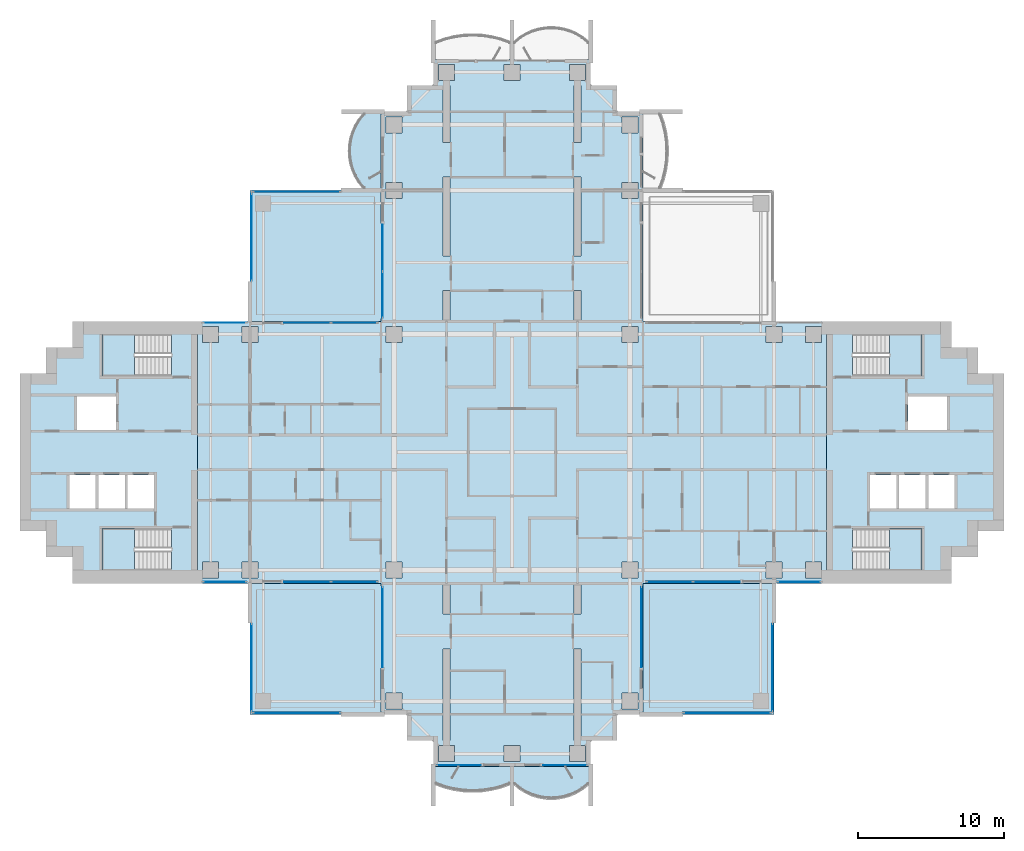
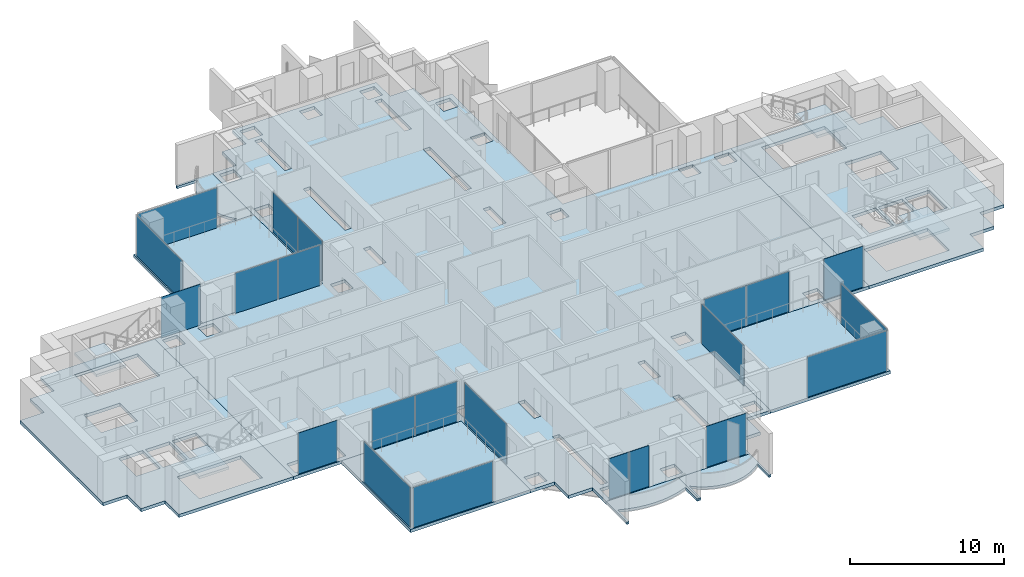
# One storey, part 7 of 19: 21 plates, 13 slabs, 21 elements without a shape of their own.
"""IFC4 building model written with IfcOpenShell, lengths in metres."""

from ifc_helpers import new_model, si_unit, direction, frame, origin, origin_2d, place, context, subcontext, project, spatial, polyline, rectangle, outline, extrude, material, layer, layer_set, type_object, element, aggregate, save


model = new_model("IFC4")

# Units and contexts
model_context = context("Model", 3, precision=1e-05, world=origin(), true_north=direction((0.0, 1.0)))
body_context = subcontext(model_context, "Body", "Model", "MODEL_VIEW")
ifc_project = project(units=[si_unit("LENGTHUNIT", "METRE"), si_unit("AREAUNIT", "SQUARE_METRE"), si_unit("VOLUMEUNIT", "CUBIC_METRE"), si_unit("PLANEANGLEUNIT", "RADIAN"), si_unit("MASSUNIT", "GRAM", prefix="KILO")], contexts=[model_context])

# Site, building, storey
site_placement = place(None, origin())
site = spatial("IfcSite", under=ifc_project, at=site_placement, CompositionType="ELEMENT")
building_placement = place(site_placement, origin())
building = spatial("IfcBuilding", under=site, at=building_placement, Name="Perihelion Cross Residences", CompositionType="ELEMENT")
storey_placement = place(building_placement, frame((0.0, 0.0, 119.89990234375)))
storey = spatial("IfcBuildingStorey", under=building, at=storey_placement, Name="L28", CompositionType="ELEMENT", Elevation=119.89990234375)

# Slabs
ifc_material_1 = material(Name="Concrete C40/50", Category="concrete")
ifc_layer_1 = layer(ifc_material_1, 0.199951171875)
ifc_layer_set_1 = layer_set([ifc_layer_1], Name="Balcony slab 200")
slab_type_1 = type_object("IfcSlabType", Name="Balcony slab 200", PredefinedType="FLOOR", material=ifc_layer_set_1)
slab_1_placement = place(storey_placement, frame((0.0, 0.0, -0.199951171875)))
element("IfcSlab", 1, at=slab_1_placement, inside=storey, type_object=slab_type_1, Name="Slab BK1 L28 north side west bay 1 balcony", PredefinedType="FLOOR", context=body_context, shape_type="SweptSolid", body=[
    extrude(outline(polyline([(-9.0, 23.39990234375), (-9.0, 18.0), (-11.699951171875, 18.0), (-11.699951171875, 18.14990234375), (-10.199951171875, 18.14990234375), (-10.5400390625, 18.574951171875), (-10.792724609375, 19.0), (-10.9765625, 19.425048828125), (-11.1025390625, 19.85009765625), (-11.17578125, 20.27490234375), (-11.199951171875, 20.699951171875), (-11.17578125, 21.125), (-11.1025390625, 21.550048828125), (-10.9765625, 21.97509765625), (-10.792724609375, 22.39990234375), (-10.5400390625, 22.824951171875), (-10.199951171875, 23.25), (-11.699951171875, 23.25), (-11.699951171875, 23.39990234375), (-9.0, 23.39990234375)])), origin(), (0.0, 0.0, 1.0), 0.199951171875),
])
slab_2_placement = place(storey_placement, frame((0.0, 0.0, -0.199951171875)))
element("IfcSlab", 2, at=slab_2_placement, inside=storey, type_object=slab_type_1, Name="Slab BK1 L28 south tip south bay 1 balcony", PredefinedType="FLOOR", context=body_context, shape_type="SweptSolid", body=[
    extrude(outline(polyline([(-5.39990234375, -21.60009765625), (0.0, -21.60009765625), (0.0, -24.300048828125), (-0.14990234375, -24.300048828125), (-0.14990234375, -22.800048828125), (-0.78759765625, -23.0234375), (-1.425048828125, -23.178466796875), (-2.0625, -23.269775390625), (-2.699951171875, -23.300048828125), (-3.33740234375, -23.269775390625), (-3.97509765625, -23.178466796875), (-4.612548828125, -23.0234375), (-5.25, -22.800048828125), (-5.25, -24.300048828125), (-5.39990234375, -24.300048828125), (-5.39990234375, -21.60009765625)])), origin(), (0.0, 0.0, 1.0), 0.199951171875),
])
slab_3_placement = place(storey_placement, frame((0.0, 0.0, -0.199951171875)))
element("IfcSlab", 3, at=slab_3_placement, inside=storey, type_object=slab_type_1, Name="Slab BK1 L28 south tip south bay 2 balcony", PredefinedType="FLOOR", context=body_context, shape_type="SweptSolid", body=[
    extrude(outline(polyline([(0.0, -21.60009765625), (5.39990234375, -21.60009765625), (5.39990234375, -24.300048828125), (5.25, -24.300048828125), (5.25, -22.800048828125), (4.824951171875, -23.14013671875), (4.39990234375, -23.392578125), (3.97509765625, -23.57666015625), (3.550048828125, -23.702392578125), (3.125, -23.77587890625), (2.699951171875, -23.800048828125), (2.27490234375, -23.77587890625), (1.85009765625, -23.702392578125), (1.425048828125, -23.57666015625), (1.0, -23.392578125), (0.574951171875, -23.14013671875), (0.14990234375, -22.800048828125), (0.14990234375, -24.300048828125), (0.0, -24.300048828125), (0.0, -21.60009765625)])), origin(), (0.0, 0.0, 1.0), 0.199951171875),
])

# Curtain wall, plates
ifc_material_2 = material(Name="Bronze anodised aluminium, tinted glazing", Category="aluminium")
curtain_wall_type_1 = type_object("IfcCurtainWallType", Name="CW1", PredefinedType="NOTDEFINED", material=ifc_material_2)
curtain_wall_1_placement = place(storey_placement, origin())
curtain_wall_1 = element("IfcCurtainWall", 4, at=curtain_wall_1_placement, inside=storey, type_object=curtain_wall_type_1, Name="Curtain wall CW1 L28 north side west bay 2", PredefinedType="NOTDEFINED")
ifc_material_3 = material(Name="Tinted laminated glass", Category="glass")
ifc_layer_2 = layer(ifc_material_3, 0.028076171875)
ifc_layer_set_2 = layer_set([ifc_layer_2], Name="CW1 panel")
plate_type_1 = type_object("IfcPlateType", Name="CW1 panel", PredefinedType="CURTAIN_PANEL", material=ifc_layer_set_2)
plate_1_placement = place(storey_placement, frame((-8.89990234375, 14.052490234375, 0.000244140625), z_axis=(0.0, 0.0, 1.0), x_axis=(0.0, -1.0, 0.0)))
plate_1 = element("IfcPlate", 5, at=plate_1_placement, type_object=plate_type_1, Name="CW1 panel 1", PredefinedType="CURTAIN_PANEL", context=body_context, shape_type="SweptSolid", body=[
    extrude(rectangle(XDim=3.195068359375, YDim=0.028076171875, at=origin_2d()), origin(), (0.0, 0.0, 1.0), 3.18994140625),
])
plate_2_placement = place(storey_placement, frame((-8.89990234375, 10.827392578125, 0.000244140625), z_axis=(0.0, 0.0, 1.0), x_axis=(0.0, -1.0, 0.0)))
plate_2 = element("IfcPlate", 6, at=plate_2_placement, type_object=plate_type_1, Name="CW1 panel 2", PredefinedType="CURTAIN_PANEL", context=body_context, shape_type="SweptSolid", body=[
    extrude(rectangle(XDim=3.135009765625, YDim=0.028076171875, at=origin_2d()), origin(), (0.0, 0.0, 1.0), 3.18994140625),
])
aggregate(curtain_wall_1, [plate_1, plate_2])

curtain_wall_2_placement = place(storey_placement, origin())
curtain_wall_2 = element("IfcCurtainWall", 7, at=curtain_wall_2_placement, inside=storey, type_object=curtain_wall_type_1, Name="Curtain wall CW1 L28 west side north bay 1", PredefinedType="NOTDEFINED")
plate_3_placement = place(storey_placement, frame((-10.827392578125, 8.89990234375, 0.000244140625), z_axis=(0.0, 0.0, 1.0), x_axis=(-1.0, 0.0, 0.0)))
plate_3 = element("IfcPlate", 8, at=plate_3_placement, type_object=plate_type_1, Name="CW1 panel 1", PredefinedType="CURTAIN_PANEL", context=body_context, shape_type="SweptSolid", body=[
    extrude(rectangle(XDim=3.135009765625, YDim=0.028076171875, at=origin_2d()), origin(), (0.0, 0.0, 1.0), 3.18994140625),
])
plate_4_placement = place(storey_placement, frame((-14.052490234375, 8.89990234375, 0.000244140625), z_axis=(0.0, 0.0, 1.0), x_axis=(-1.0, 0.0, 0.0)))
plate_4 = element("IfcPlate", 9, at=plate_4_placement, type_object=plate_type_1, Name="CW1 panel 2", PredefinedType="CURTAIN_PANEL", context=body_context, shape_type="SweptSolid", body=[
    extrude(rectangle(XDim=3.195068359375, YDim=0.028076171875, at=origin_2d()), origin(), (0.0, 0.0, 1.0), 3.18994140625),
])
aggregate(curtain_wall_2, [plate_3, plate_4])

# Curtain wall, plate
curtain_wall_3_placement = place(storey_placement, origin())
curtain_wall_3 = element("IfcCurtainWall", 10, at=curtain_wall_3_placement, inside=storey, type_object=curtain_wall_type_1, Name="Curtain wall CW1 L28 west side north bay 2", PredefinedType="NOTDEFINED")
plate_5_placement = place(storey_placement, frame((-19.72509765625, 8.89990234375, 0.0), z_axis=(0.0, 0.0, 1.0), x_axis=(-1.0, 0.0, 0.0)))
plate_5 = element("IfcPlate", 11, at=plate_5_placement, type_object=plate_type_1, Name="CW1 panel 1", PredefinedType="CURTAIN_PANEL", context=body_context, shape_type="SweptSolid", body=[
    extrude(rectangle(XDim=2.929931640625, YDim=0.028076171875, at=origin_2d()), origin(), (0.0, 0.0, 1.0), 3.25),
])
aggregate(curtain_wall_3, [plate_5])

curtain_wall_4_placement = place(storey_placement, origin())
curtain_wall_4 = element("IfcCurtainWall", 12, at=curtain_wall_4_placement, inside=storey, type_object=curtain_wall_type_1, Name="Curtain wall CW1 L28 west side south bay 1", PredefinedType="NOTDEFINED")
plate_6_placement = place(storey_placement, frame((-19.72509765625, -8.89990234375, 0.0), z_axis=(0.0, 0.0, 1.0), x_axis=(1.0, 0.0, 0.0)))
plate_6 = element("IfcPlate", 13, at=plate_6_placement, type_object=plate_type_1, Name="CW1 panel 1", PredefinedType="CURTAIN_PANEL", context=body_context, shape_type="SweptSolid", body=[
    extrude(rectangle(XDim=2.929931640625, YDim=0.028076171875, at=origin_2d()), origin(), (0.0, 0.0, 1.0), 3.25),
])
aggregate(curtain_wall_4, [plate_6])

# Curtain wall, plates
curtain_wall_5_placement = place(storey_placement, origin())
curtain_wall_5 = element("IfcCurtainWall", 14, at=curtain_wall_5_placement, inside=storey, type_object=curtain_wall_type_1, Name="Curtain wall CW1 L28 west side south bay 2", PredefinedType="NOTDEFINED")
plate_7_placement = place(storey_placement, frame((-14.052490234375, -8.89990234375, 0.000244140625), z_axis=(0.0, 0.0, 1.0), x_axis=(1.0, 0.0, 0.0)))
plate_7 = element("IfcPlate", 15, at=plate_7_placement, type_object=plate_type_1, Name="CW1 panel 1", PredefinedType="CURTAIN_PANEL", context=body_context, shape_type="SweptSolid", body=[
    extrude(rectangle(XDim=3.195068359375, YDim=0.028076171875, at=origin_2d()), origin(), (0.0, 0.0, 1.0), 3.18994140625),
])
plate_8_placement = place(storey_placement, frame((-10.827392578125, -8.89990234375, 0.000244140625), z_axis=(0.0, 0.0, 1.0), x_axis=(1.0, 0.0, 0.0)))
plate_8 = element("IfcPlate", 16, at=plate_8_placement, type_object=plate_type_1, Name="CW1 panel 2", PredefinedType="CURTAIN_PANEL", context=body_context, shape_type="SweptSolid", body=[
    extrude(rectangle(XDim=3.135009765625, YDim=0.028076171875, at=origin_2d()), origin(), (0.0, 0.0, 1.0), 3.18994140625),
])
aggregate(curtain_wall_5, [plate_7, plate_8])

# Curtain wall, plate
curtain_wall_6_placement = place(storey_placement, origin())
curtain_wall_6 = element("IfcCurtainWall", 17, at=curtain_wall_6_placement, inside=storey, type_object=curtain_wall_type_1, Name="Curtain wall CW1 L28 south side west bay 1", PredefinedType="NOTDEFINED")
plate_9_placement = place(storey_placement, frame((-8.89990234375, -12.0048828125, 0.000244140625), z_axis=(0.0, 0.0, 1.0), x_axis=(0.0, -1.0, 0.0)))
plate_9 = element("IfcPlate", 18, at=plate_9_placement, type_object=plate_type_1, Name="CW1 panel 1", PredefinedType="CURTAIN_PANEL", context=body_context, shape_type="SweptSolid", body=[
    extrude(rectangle(XDim=5.489990234375, YDim=0.028076171875, at=origin_2d()), origin(), (0.0, 0.0, 1.0), 3.18994140625),
])
aggregate(curtain_wall_6, [plate_9])

curtain_wall_7_placement = place(storey_placement, origin())
curtain_wall_7 = element("IfcCurtainWall", 19, at=curtain_wall_7_placement, inside=storey, type_object=curtain_wall_type_1, Name="Curtain wall CW1 L28 south tip south bay 1", PredefinedType="NOTDEFINED")
plate_10_placement = place(storey_placement, frame((-3.64501953125, -21.5, 0.0), z_axis=(0.0, 0.0, 1.0), x_axis=(1.0, 0.0, 0.0)))
plate_10 = element("IfcPlate", 20, at=plate_10_placement, type_object=plate_type_1, Name="CW1 panel 1", PredefinedType="CURTAIN_PANEL", context=body_context, shape_type="SweptSolid", body=[
    extrude(rectangle(XDim=2.989990234375, YDim=0.028076171875, at=origin_2d()), origin(), (0.0, 0.0, 1.0), 3.25),
])
aggregate(curtain_wall_7, [plate_10])

curtain_wall_8_placement = place(storey_placement, origin())
curtain_wall_8 = element("IfcCurtainWall", 21, at=curtain_wall_8_placement, inside=storey, type_object=curtain_wall_type_1, Name="Curtain wall CW1 L28 south tip south bay 2", PredefinedType="NOTDEFINED")
plate_11_placement = place(storey_placement, frame((3.64501953125, -21.5, 0.0), z_axis=(0.0, 0.0, 1.0), x_axis=(1.0, 0.0, 0.0)))
plate_11 = element("IfcPlate", 22, at=plate_11_placement, type_object=plate_type_1, Name="CW1 panel 1", PredefinedType="CURTAIN_PANEL", context=body_context, shape_type="SweptSolid", body=[
    extrude(rectangle(XDim=2.989990234375, YDim=0.028076171875, at=origin_2d()), origin(), (0.0, 0.0, 1.0), 3.25),
])
aggregate(curtain_wall_8, [plate_11])

curtain_wall_9_placement = place(storey_placement, origin())
curtain_wall_9 = element("IfcCurtainWall", 23, at=curtain_wall_9_placement, inside=storey, type_object=curtain_wall_type_1, Name="Curtain wall CW1 L28 south side east bay 1", PredefinedType="NOTDEFINED")
plate_12_placement = place(storey_placement, frame((8.89990234375, -12.0048828125, 0.000244140625), z_axis=(0.0, 0.0, 1.0), x_axis=(0.0, 1.0, 0.0)))
plate_12 = element("IfcPlate", 24, at=plate_12_placement, type_object=plate_type_1, Name="CW1 panel 1", PredefinedType="CURTAIN_PANEL", context=body_context, shape_type="SweptSolid", body=[
    extrude(rectangle(XDim=5.489990234375, YDim=0.028076171875, at=origin_2d()), origin(), (0.0, 0.0, 1.0), 3.18994140625),
])
aggregate(curtain_wall_9, [plate_12])

# Curtain wall, plates
curtain_wall_10_placement = place(storey_placement, origin())
curtain_wall_10 = element("IfcCurtainWall", 25, at=curtain_wall_10_placement, inside=storey, type_object=curtain_wall_type_1, Name="Curtain wall CW1 L28 east side south bay 1", PredefinedType="NOTDEFINED")
plate_13_placement = place(storey_placement, frame((10.827392578125, -8.89990234375, 0.000244140625), z_axis=(0.0, 0.0, 1.0), x_axis=(1.0, 0.0, 0.0)))
plate_13 = element("IfcPlate", 26, at=plate_13_placement, type_object=plate_type_1, Name="CW1 panel 1", PredefinedType="CURTAIN_PANEL", context=body_context, shape_type="SweptSolid", body=[
    extrude(rectangle(XDim=3.135009765625, YDim=0.028076171875, at=origin_2d()), origin(), (0.0, 0.0, 1.0), 3.18994140625),
])
plate_14_placement = place(storey_placement, frame((14.052490234375, -8.89990234375, 0.000244140625), z_axis=(0.0, 0.0, 1.0), x_axis=(1.0, 0.0, 0.0)))
plate_14 = element("IfcPlate", 27, at=plate_14_placement, type_object=plate_type_1, Name="CW1 panel 2", PredefinedType="CURTAIN_PANEL", context=body_context, shape_type="SweptSolid", body=[
    extrude(rectangle(XDim=3.195068359375, YDim=0.028076171875, at=origin_2d()), origin(), (0.0, 0.0, 1.0), 3.18994140625),
])
aggregate(curtain_wall_10, [plate_13, plate_14])

# Curtain wall, plate
curtain_wall_11_placement = place(storey_placement, origin())
curtain_wall_11 = element("IfcCurtainWall", 28, at=curtain_wall_11_placement, inside=storey, type_object=curtain_wall_type_1, Name="Curtain wall CW1 L28 east side south bay 2", PredefinedType="NOTDEFINED")
plate_15_placement = place(storey_placement, frame((19.72509765625, -8.89990234375, 0.0), z_axis=(0.0, 0.0, 1.0), x_axis=(1.0, 0.0, 0.0)))
plate_15 = element("IfcPlate", 29, at=plate_15_placement, type_object=plate_type_1, Name="CW1 panel 1", PredefinedType="CURTAIN_PANEL", context=body_context, shape_type="SweptSolid", body=[
    extrude(rectangle(XDim=2.929931640625, YDim=0.028076171875, at=origin_2d()), origin(), (0.0, 0.0, 1.0), 3.25),
])
aggregate(curtain_wall_11, [plate_15])

ifc_material_4 = material(Name="Bronze anodised aluminium, tinted glazing", Category="aluminium")
curtain_wall_type_2 = type_object("IfcCurtainWallType", Name="CW4", PredefinedType="NOTDEFINED", material=ifc_material_4)
curtain_wall_12_placement = place(storey_placement, origin())
curtain_wall_12 = element("IfcCurtainWall", 30, at=curtain_wall_12_placement, inside=storey, type_object=curtain_wall_type_2, Name="Curtain wall CW4 L28 pocket north-west 1 1", PredefinedType="NOTDEFINED")
ifc_material_5 = material(Name="Tinted laminated glass", Category="glass")
ifc_layer_3 = layer(ifc_material_5, 0.030029296875)
ifc_layer_set_3 = layer_set([ifc_layer_3], Name="CW4 panel")
plate_type_2 = type_object("IfcPlateType", Name="CW4 panel", PredefinedType="CURTAIN_PANEL", material=ifc_layer_set_3)
plate_16_placement = place(storey_placement, frame((-17.89990234375, 14.784912109375, 0.000244140625), z_axis=(0.0, 0.0, 1.0), x_axis=(0.0, 1.0, 0.0)))
plate_16 = element("IfcPlate", 31, at=plate_16_placement, type_object=plate_type_2, Name="CW4 panel 1", PredefinedType="CURTAIN_PANEL", context=body_context, shape_type="SweptSolid", body=[
    extrude(rectangle(XDim=5.969970703125, YDim=0.030029296875, at=origin_2d()), origin(), (0.0, 0.0, 1.0), 3.18994140625),
])
aggregate(curtain_wall_12, [plate_16])

curtain_wall_13_placement = place(storey_placement, origin())
curtain_wall_13 = element("IfcCurtainWall", 32, at=curtain_wall_13_placement, inside=storey, type_object=curtain_wall_type_2, Name="Curtain wall CW4 L28 pocket north-west 1 2", PredefinedType="NOTDEFINED")
plate_17_placement = place(storey_placement, frame((-14.784912109375, 17.89990234375, 0.000244140625), z_axis=(0.0, 0.0, 1.0), x_axis=(1.0, 0.0, 0.0)))
plate_17 = element("IfcPlate", 33, at=plate_17_placement, type_object=plate_type_2, Name="CW4 panel 1", PredefinedType="CURTAIN_PANEL", context=body_context, shape_type="SweptSolid", body=[
    extrude(rectangle(XDim=5.969970703125, YDim=0.030029296875, at=origin_2d()), origin(), (0.0, 0.0, 1.0), 3.18994140625),
])
aggregate(curtain_wall_13, [plate_17])

curtain_wall_14_placement = place(storey_placement, origin())
curtain_wall_14 = element("IfcCurtainWall", 34, at=curtain_wall_14_placement, inside=storey, type_object=curtain_wall_type_2, Name="Curtain wall CW4 L28 pocket south-east 1 1", PredefinedType="NOTDEFINED")
plate_18_placement = place(storey_placement, frame((17.89990234375, -14.784912109375, 0.000244140625), z_axis=(0.0, 0.0, 1.0), x_axis=(0.0, -1.0, 0.0)))
plate_18 = element("IfcPlate", 35, at=plate_18_placement, type_object=plate_type_2, Name="CW4 panel 1", PredefinedType="CURTAIN_PANEL", context=body_context, shape_type="SweptSolid", body=[
    extrude(rectangle(XDim=5.969970703125, YDim=0.030029296875, at=origin_2d()), origin(), (0.0, 0.0, 1.0), 3.18994140625),
])
aggregate(curtain_wall_14, [plate_18])

curtain_wall_15_placement = place(storey_placement, origin())
curtain_wall_15 = element("IfcCurtainWall", 36, at=curtain_wall_15_placement, inside=storey, type_object=curtain_wall_type_2, Name="Curtain wall CW4 L28 pocket south-east 1 2", PredefinedType="NOTDEFINED")
plate_19_placement = place(storey_placement, frame((14.784912109375, -17.89990234375, 0.000244140625), z_axis=(0.0, 0.0, 1.0), x_axis=(-1.0, 0.0, 0.0)))
plate_19 = element("IfcPlate", 37, at=plate_19_placement, type_object=plate_type_2, Name="CW4 panel 1", PredefinedType="CURTAIN_PANEL", context=body_context, shape_type="SweptSolid", body=[
    extrude(rectangle(XDim=5.969970703125, YDim=0.030029296875, at=origin_2d()), origin(), (0.0, 0.0, 1.0), 3.18994140625),
])
aggregate(curtain_wall_15, [plate_19])

curtain_wall_16_placement = place(storey_placement, origin())
curtain_wall_16 = element("IfcCurtainWall", 38, at=curtain_wall_16_placement, inside=storey, type_object=curtain_wall_type_2, Name="Curtain wall CW4 L28 pocket south-west 1 1", PredefinedType="NOTDEFINED")
plate_20_placement = place(storey_placement, frame((-14.784912109375, -17.89990234375, 0.000244140625), z_axis=(0.0, 0.0, 1.0), x_axis=(-1.0, 0.0, 0.0)))
plate_20 = element("IfcPlate", 39, at=plate_20_placement, type_object=plate_type_2, Name="CW4 panel 1", PredefinedType="CURTAIN_PANEL", context=body_context, shape_type="SweptSolid", body=[
    extrude(rectangle(XDim=5.969970703125, YDim=0.030029296875, at=origin_2d()), origin(), (0.0, 0.0, 1.0), 3.18994140625),
])
aggregate(curtain_wall_16, [plate_20])

curtain_wall_17_placement = place(storey_placement, origin())
curtain_wall_17 = element("IfcCurtainWall", 40, at=curtain_wall_17_placement, inside=storey, type_object=curtain_wall_type_2, Name="Curtain wall CW4 L28 pocket south-west 1 2", PredefinedType="NOTDEFINED")
plate_21_placement = place(storey_placement, frame((-17.89990234375, -14.784912109375, 0.000244140625), z_axis=(0.0, 0.0, 1.0), x_axis=(0.0, 1.0, 0.0)))
plate_21 = element("IfcPlate", 41, at=plate_21_placement, type_object=plate_type_2, Name="CW4 panel 1", PredefinedType="CURTAIN_PANEL", context=body_context, shape_type="SweptSolid", body=[
    extrude(rectangle(XDim=5.969970703125, YDim=0.030029296875, at=origin_2d()), origin(), (0.0, 0.0, 1.0), 3.18994140625),
])
aggregate(curtain_wall_17, [plate_21])

# Slabs
ifc_material_6 = material(Name="Concrete C40/50", Category="concrete")
ifc_layer_4 = layer(ifc_material_6, 0.25)
ifc_layer_set_4 = layer_set([ifc_layer_4], Name="Core floor slab 250")
slab_type_2 = type_object("IfcSlabType", Name="Core floor slab 250", PredefinedType="FLOOR", material=ifc_layer_set_4)
slab_4_placement = place(storey_placement, frame((0.0, 0.0, -0.25)))
element("IfcSlab", 42, at=slab_4_placement, inside=storey, type_object=slab_type_2, Name="East core floor slab", PredefinedType="FLOOR", context=body_context, shape_type="SweptSolid", body=[
    extrude(outline(polyline([(30.199951171875, 7.199951171875), (32.0, 7.199951171875), (32.0, 5.39990234375), (33.800048828125, 5.39990234375), (33.800048828125, -5.39990234375), (32.0, -5.39990234375), (32.0, -7.199951171875), (30.199951171875, -7.199951171875), (30.199951171875, -9.0), (21.60009765625, -9.0), (21.60009765625, 9.0), (30.199951171875, 9.0), (30.199951171875, 7.199951171875)]), holes=[polyline([(28.14990234375, -8.10009765625), (28.14990234375, -5.25), (23.405029296875, -5.25), (23.405029296875, -8.10009765625), (28.14990234375, -8.10009765625)]), polyline([(24.60009765625, -1.550048828125), (24.60009765625, -3.85009765625), (26.39990234375, -3.85009765625), (26.39990234375, -1.550048828125), (24.60009765625, -1.550048828125)]), polyline([(26.60009765625, -1.550048828125), (26.60009765625, -3.85009765625), (28.39990234375, -3.85009765625), (28.39990234375, -1.550048828125), (26.60009765625, -1.550048828125)]), polyline([(28.60009765625, -3.85009765625), (30.39990234375, -3.85009765625), (30.39990234375, -1.550048828125), (28.60009765625, -1.550048828125), (28.60009765625, -3.85009765625)]), polyline([(27.199951171875, 3.85009765625), (27.199951171875, 1.550048828125), (29.89990234375, 1.550048828125), (29.89990234375, 3.85009765625), (27.199951171875, 3.85009765625)]), polyline([(23.405029296875, 5.25), (28.14990234375, 5.25), (28.14990234375, 8.10009765625), (23.405029296875, 8.10009765625), (23.405029296875, 5.25)])]), origin(), (0.0, 0.0, 1.0), 0.25),
])
slab_5_placement = place(storey_placement, frame((0.0, 0.0, -0.25)))
element("IfcSlab", 43, at=slab_5_placement, inside=storey, type_object=slab_type_2, Name="West core floor slab", PredefinedType="FLOOR", context=body_context, shape_type="SweptSolid", body=[
    extrude(outline(polyline([(-30.199951171875, 7.199951171875), (-32.0, 7.199951171875), (-32.0, 5.39990234375), (-33.800048828125, 5.39990234375), (-33.800048828125, -5.39990234375), (-32.0, -5.39990234375), (-32.0, -7.199951171875), (-30.199951171875, -7.199951171875), (-30.199951171875, -9.0), (-21.60009765625, -9.0), (-21.60009765625, 9.0), (-30.199951171875, 9.0), (-30.199951171875, 7.199951171875)]), holes=[polyline([(-28.14990234375, -8.10009765625), (-28.14990234375, -5.25), (-23.405029296875, -5.25), (-23.405029296875, -8.10009765625), (-28.14990234375, -8.10009765625)]), polyline([(-24.60009765625, -1.550048828125), (-24.60009765625, -3.85009765625), (-26.39990234375, -3.85009765625), (-26.39990234375, -1.550048828125), (-24.60009765625, -1.550048828125)]), polyline([(-26.60009765625, -1.550048828125), (-26.60009765625, -3.85009765625), (-28.39990234375, -3.85009765625), (-28.39990234375, -1.550048828125), (-26.60009765625, -1.550048828125)]), polyline([(-28.60009765625, -3.85009765625), (-30.39990234375, -3.85009765625), (-30.39990234375, -1.550048828125), (-28.60009765625, -1.550048828125), (-28.60009765625, -3.85009765625)]), polyline([(-27.199951171875, 3.85009765625), (-27.199951171875, 1.550048828125), (-29.89990234375, 1.550048828125), (-29.89990234375, 3.85009765625), (-27.199951171875, 3.85009765625)]), polyline([(-23.405029296875, 5.25), (-28.14990234375, 5.25), (-28.14990234375, 8.10009765625), (-23.405029296875, 8.10009765625), (-23.405029296875, 5.25)])]), origin(), (0.0, 0.0, 1.0), 0.25),
])

# Stair, slab
ifc_material_7 = material(Name="Concrete C40/50", Category="concrete")
stair_type = type_object("IfcStairType", Name="Exit stair, half-turn", PredefinedType="HALF_TURN_STAIR", material=ifc_material_7)
stair_1_placement = place(storey_placement, origin())
stair_1 = element("IfcStair", 44, at=stair_1_placement, inside=storey, type_object=stair_type, Name="L28 East core exit stair 1", PredefinedType="HALF_TURN_STAIR")
ifc_material_8 = material(Name="Concrete C40/50", Category="concrete")
ifc_layer_5 = layer(ifc_material_8, 0.199951171875)
ifc_layer_set_5 = layer_set([ifc_layer_5], Name="Exit stair landing 200")
slab_type_3 = type_object("IfcSlabType", Name="Exit stair landing 200", PredefinedType="LANDING", material=ifc_layer_set_5)
slab_6_placement = place(storey_placement, frame((0.0, 0.0, 1.550048828125)))
slab_6 = element("IfcSlab", 45, at=slab_6_placement, type_object=slab_type_3, Name="ST-E1 landing 1", PredefinedType="LANDING", context=body_context, shape_type="SweptSolid", body=[
    extrude(outline(polyline([(25.919921875, 5.25), (28.14990234375, 5.25), (28.14990234375, 8.10009765625), (25.919921875, 8.10009765625), (25.919921875, 5.25)])), origin(), (0.0, 0.0, 1.0), 0.199951171875),
])
aggregate(stair_1, [slab_6])

stair_2_placement = place(storey_placement, origin())
stair_2 = element("IfcStair", 46, at=stair_2_placement, inside=storey, type_object=stair_type, Name="L28 East core exit stair 2", PredefinedType="HALF_TURN_STAIR")
slab_7_placement = place(storey_placement, frame((0.0, 0.0, 1.550048828125)))
slab_7 = element("IfcSlab", 47, at=slab_7_placement, type_object=slab_type_3, Name="ST-E2 landing 1", PredefinedType="LANDING", context=body_context, shape_type="SweptSolid", body=[
    extrude(outline(polyline([(25.919921875, -8.10009765625), (28.14990234375, -8.10009765625), (28.14990234375, -5.25), (25.919921875, -5.25), (25.919921875, -8.10009765625)])), origin(), (0.0, 0.0, 1.0), 0.199951171875),
])
aggregate(stair_2, [slab_7])

stair_3_placement = place(storey_placement, origin())
stair_3 = element("IfcStair", 48, at=stair_3_placement, inside=storey, type_object=stair_type, Name="L28 West core exit stair 1", PredefinedType="HALF_TURN_STAIR")
slab_8_placement = place(storey_placement, frame((0.0, 0.0, 1.550048828125)))
slab_8 = element("IfcSlab", 49, at=slab_8_placement, type_object=slab_type_3, Name="ST-W1 landing 1", PredefinedType="LANDING", context=body_context, shape_type="SweptSolid", body=[
    extrude(outline(polyline([(-25.919921875, 8.10009765625), (-28.14990234375, 8.10009765625), (-28.14990234375, 5.25), (-25.919921875, 5.25), (-25.919921875, 8.10009765625)])), origin(), (0.0, 0.0, 1.0), 0.199951171875),
])
aggregate(stair_3, [slab_8])

stair_4_placement = place(storey_placement, origin())
stair_4 = element("IfcStair", 50, at=stair_4_placement, inside=storey, type_object=stair_type, Name="L28 West core exit stair 2", PredefinedType="HALF_TURN_STAIR")
slab_9_placement = place(storey_placement, frame((0.0, 0.0, 1.550048828125)))
slab_9 = element("IfcSlab", 51, at=slab_9_placement, type_object=slab_type_3, Name="ST-W2 landing 1", PredefinedType="LANDING", context=body_context, shape_type="SweptSolid", body=[
    extrude(outline(polyline([(-25.919921875, -5.25), (-28.14990234375, -5.25), (-28.14990234375, -8.10009765625), (-25.919921875, -8.10009765625), (-25.919921875, -5.25)])), origin(), (0.0, 0.0, 1.0), 0.199951171875),
])
aggregate(stair_4, [slab_9])

# Slabs
ifc_material_9 = material(Name="Concrete C50/60", Category="concrete")
ifc_layer_6 = layer(ifc_material_9, 0.25)
ifc_layer_set_6 = layer_set([ifc_layer_6], Name="Residential floor post-tensioned slab concrete C50/60")
slab_type_4 = type_object("IfcSlabType", Name="Residential floor post-tensioned slab concrete C50/60", PredefinedType="FLOOR", material=ifc_layer_set_6)
slab_10_placement = place(storey_placement, frame((0.0, 0.0, -0.25)))
element("IfcSlab", 52, at=slab_10_placement, inside=storey, type_object=slab_type_4, Name="Slab SL8 L28 1 no. 1", PredefinedType="FLOOR", context=body_context, shape_type="SweptSolid", body=[
    extrude(outline(polyline([(-9.0, 9.0), (-9.0, 23.39990234375), (-7.199951171875, 23.39990234375), (-7.199951171875, 25.199951171875), (-5.39990234375, 25.199951171875), (-5.39990234375, 27.0), (5.39990234375, 27.0), (5.39990234375, 25.199951171875), (7.199951171875, 25.199951171875), (7.199951171875, 23.39990234375), (9.0, 23.39990234375), (9.0, 9.0), (21.60009765625, 9.0), (21.60009765625, -9.0), (9.0, -9.0), (9.0, -18.0), (7.199951171875, -18.0), (7.199951171875, -19.800048828125), (5.39990234375, -19.800048828125), (5.39990234375, -21.60009765625), (-5.39990234375, -21.60009765625), (-5.39990234375, -19.800048828125), (-7.199951171875, -19.800048828125), (-7.199951171875, -18.0), (-9.0, -18.0), (-9.0, -9.0), (-21.60009765625, -9.0), (-21.60009765625, 9.0), (-9.0, 9.0)]), holes=[polyline([(0.550048828125, -21.25), (0.550048828125, -20.14990234375), (-0.550048828125, -20.14990234375), (-0.550048828125, -21.25), (0.550048828125, -21.25)]), polyline([(-3.949951171875, -21.25), (-3.949951171875, -20.14990234375), (-5.050048828125, -20.14990234375), (-5.050048828125, -21.25), (-3.949951171875, -21.25)]), polyline([(-7.550048828125, -17.64990234375), (-7.550048828125, -16.550048828125), (-8.64990234375, -16.550048828125), (-8.64990234375, -17.64990234375), (-7.550048828125, -17.64990234375)]), polyline([(-4.25, -19.800048828125), (-4.25, -13.5), (-4.75, -13.5), (-4.75, -19.800048828125), (-4.25, -19.800048828125)]), polyline([(-4.25, -11.10009765625), (-4.25, -9.0), (-4.75, -9.0), (-4.75, -11.10009765625), (-4.25, -11.10009765625)]), polyline([(-20.14990234375, -8.64990234375), (-20.14990234375, -7.550048828125), (-21.25, -7.550048828125), (-21.25, -8.64990234375), (-20.14990234375, -8.64990234375)]), polyline([(-7.550048828125, -8.64990234375), (-7.550048828125, -7.550048828125), (-8.64990234375, -7.550048828125), (-8.64990234375, -8.64990234375), (-7.550048828125, -8.64990234375)]), polyline([(-18.550048828125, -8.64990234375), (-17.449951171875, -8.64990234375), (-17.449951171875, -7.550048828125), (-18.550048828125, -7.550048828125), (-18.550048828125, -8.64990234375)]), polyline([(-7.550048828125, 7.550048828125), (-7.550048828125, 8.64990234375), (-8.64990234375, 8.64990234375), (-8.64990234375, 7.550048828125), (-7.550048828125, 7.550048828125)]), polyline([(-17.449951171875, 7.550048828125), (-17.449951171875, 8.64990234375), (-18.550048828125, 8.64990234375), (-18.550048828125, 7.550048828125), (-17.449951171875, 7.550048828125)]), polyline([(-20.14990234375, 7.550048828125), (-20.14990234375, 8.64990234375), (-21.25, 8.64990234375), (-21.25, 7.550048828125), (-20.14990234375, 7.550048828125)]), polyline([(-4.25, 9.0), (-4.25, 11.10009765625), (-4.75, 11.10009765625), (-4.75, 9.0), (-4.25, 9.0)]), polyline([(-4.25, 13.5), (-4.25, 18.89990234375), (-4.75, 18.89990234375), (-4.75, 13.5), (-4.25, 13.5)]), polyline([(-7.550048828125, 17.449951171875), (-7.550048828125, 18.550048828125), (-8.64990234375, 18.550048828125), (-8.64990234375, 17.449951171875), (-7.550048828125, 17.449951171875)]), polyline([(-7.550048828125, 21.949951171875), (-7.550048828125, 23.050048828125), (-8.64990234375, 23.050048828125), (-8.64990234375, 21.949951171875), (-7.550048828125, 21.949951171875)]), polyline([(-4.75, 21.300048828125), (-4.25, 21.300048828125), (-4.25, 25.199951171875), (-4.75, 25.199951171875), (-4.75, 21.300048828125)]), polyline([(-5.050048828125, 25.550048828125), (-3.949951171875, 25.550048828125), (-3.949951171875, 26.64990234375), (-5.050048828125, 26.64990234375), (-5.050048828125, 25.550048828125)]), polyline([(5.050048828125, -21.25), (5.050048828125, -20.14990234375), (3.949951171875, -20.14990234375), (3.949951171875, -21.25), (5.050048828125, -21.25)]), polyline([(8.64990234375, -17.64990234375), (8.64990234375, -16.550048828125), (7.550048828125, -16.550048828125), (7.550048828125, -17.64990234375), (8.64990234375, -17.64990234375)]), polyline([(4.75, -19.800048828125), (4.75, -13.5), (4.25, -13.5), (4.25, -19.800048828125), (4.75, -19.800048828125)]), polyline([(4.75, -11.10009765625), (4.75, -9.0), (4.25, -9.0), (4.25, -11.10009765625), (4.75, -11.10009765625)]), polyline([(21.25, -8.64990234375), (21.25, -7.550048828125), (20.14990234375, -7.550048828125), (20.14990234375, -8.64990234375), (21.25, -8.64990234375)]), polyline([(18.550048828125, -8.64990234375), (18.550048828125, -7.550048828125), (17.449951171875, -7.550048828125), (17.449951171875, -8.64990234375), (18.550048828125, -8.64990234375)]), polyline([(8.64990234375, -8.64990234375), (8.64990234375, -7.550048828125), (7.550048828125, -7.550048828125), (7.550048828125, -8.64990234375), (8.64990234375, -8.64990234375)]), polyline([(7.550048828125, 7.550048828125), (8.64990234375, 7.550048828125), (8.64990234375, 8.64990234375), (7.550048828125, 8.64990234375), (7.550048828125, 7.550048828125)]), polyline([(18.550048828125, 7.550048828125), (18.550048828125, 8.64990234375), (17.449951171875, 8.64990234375), (17.449951171875, 7.550048828125), (18.550048828125, 7.550048828125)]), polyline([(21.25, 7.550048828125), (21.25, 8.64990234375), (20.14990234375, 8.64990234375), (20.14990234375, 7.550048828125), (21.25, 7.550048828125)]), polyline([(4.75, 9.0), (4.75, 11.10009765625), (4.25, 11.10009765625), (4.25, 9.0), (4.75, 9.0)]), polyline([(4.75, 13.5), (4.75, 18.89990234375), (4.25, 18.89990234375), (4.25, 13.5), (4.75, 13.5)]), polyline([(8.64990234375, 17.449951171875), (8.64990234375, 18.550048828125), (7.550048828125, 18.550048828125), (7.550048828125, 17.449951171875), (8.64990234375, 17.449951171875)]), polyline([(8.64990234375, 21.949951171875), (8.64990234375, 23.050048828125), (7.550048828125, 23.050048828125), (7.550048828125, 21.949951171875), (8.64990234375, 21.949951171875)]), polyline([(4.75, 21.300048828125), (4.75, 25.199951171875), (4.25, 25.199951171875), (4.25, 21.300048828125), (4.75, 21.300048828125)]), polyline([(3.949951171875, 25.550048828125), (5.050048828125, 25.550048828125), (5.050048828125, 26.64990234375), (3.949951171875, 26.64990234375), (3.949951171875, 25.550048828125)]), polyline([(-0.550048828125, 25.550048828125), (0.550048828125, 25.550048828125), (0.550048828125, 26.64990234375), (-0.550048828125, 26.64990234375), (-0.550048828125, 25.550048828125)])]), origin(), (0.0, 0.0, 1.0), 0.25),
])
ifc_material_10 = material(Name="Concrete C40/50", Category="concrete")
ifc_layer_7 = layer(ifc_material_10, 0.25)
ifc_layer_set_7 = layer_set([ifc_layer_7], Name="Winter garden slab")
slab_type_5 = type_object("IfcSlabType", Name="Winter garden slab", PredefinedType="FLOOR", material=ifc_layer_set_7)
slab_11_placement = place(storey_placement, frame((0.0, 0.0, -0.25)))
element("IfcSlab", 53, at=slab_11_placement, inside=storey, type_object=slab_type_5, Name="Slab BK3 L28 pocket north-west", PredefinedType="FLOOR", context=body_context, shape_type="SweptSolid", body=[
    extrude(outline(polyline([(-9.0, 9.0), (-9.0, 18.0), (-18.0, 18.0), (-18.0, 9.0), (-9.0, 9.0)])), origin(), (0.0, 0.0, 1.0), 0.25),
])
slab_12_placement = place(storey_placement, frame((0.0, 0.0, -0.25)))
element("IfcSlab", 54, at=slab_12_placement, inside=storey, type_object=slab_type_5, Name="Slab BK3 L28 pocket south-west", PredefinedType="FLOOR", context=body_context, shape_type="SweptSolid", body=[
    extrude(outline(polyline([(-9.0, -18.0), (-9.0, -9.0), (-18.0, -9.0), (-18.0, -18.0), (-9.0, -18.0)])), origin(), (0.0, 0.0, 1.0), 0.25),
])
slab_13_placement = place(storey_placement, frame((0.0, 0.0, -0.25)))
element("IfcSlab", 55, at=slab_13_placement, inside=storey, type_object=slab_type_5, Name="Slab BK3 L28 pocket south-east", PredefinedType="FLOOR", context=body_context, shape_type="SweptSolid", body=[
    extrude(outline(polyline([(18.0, -18.0), (18.0, -9.0), (9.0, -9.0), (9.0, -18.0), (18.0, -18.0)])), origin(), (0.0, 0.0, 1.0), 0.25),
])

save(model, "model.ifc")
